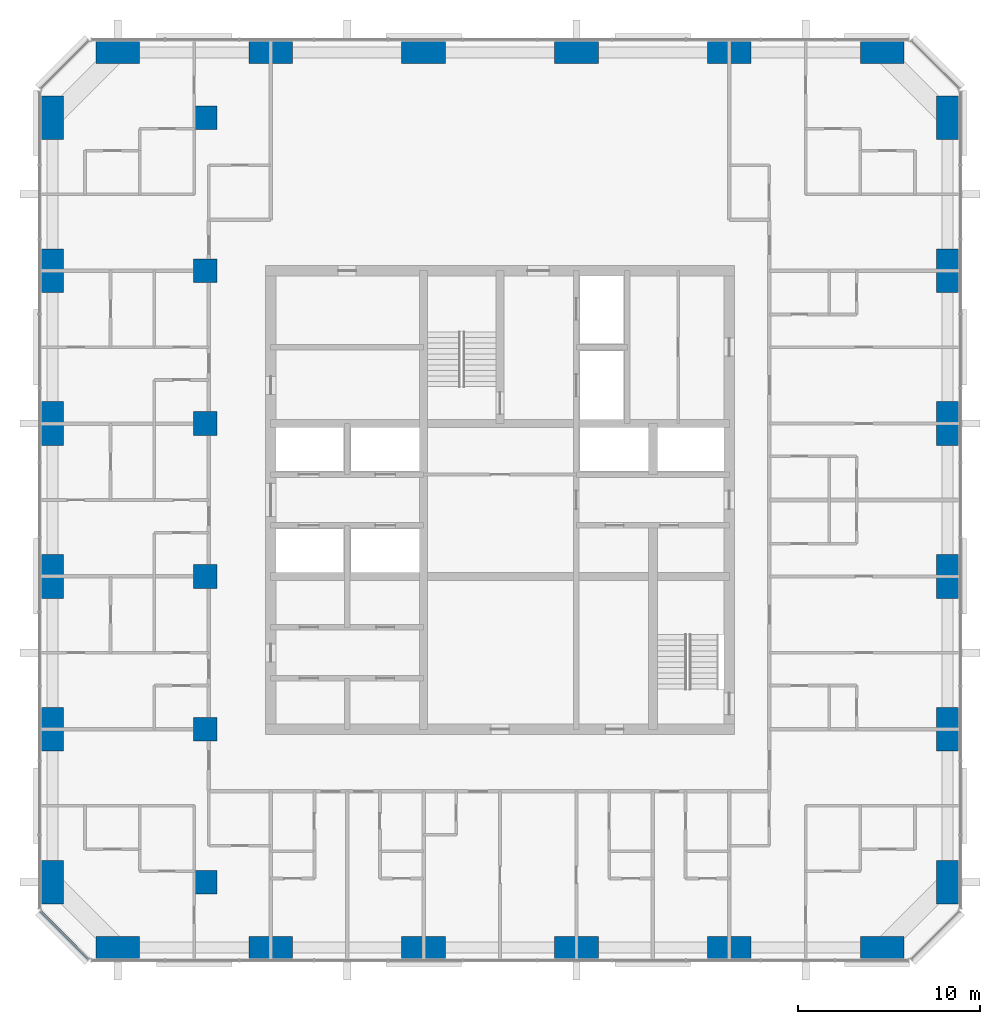
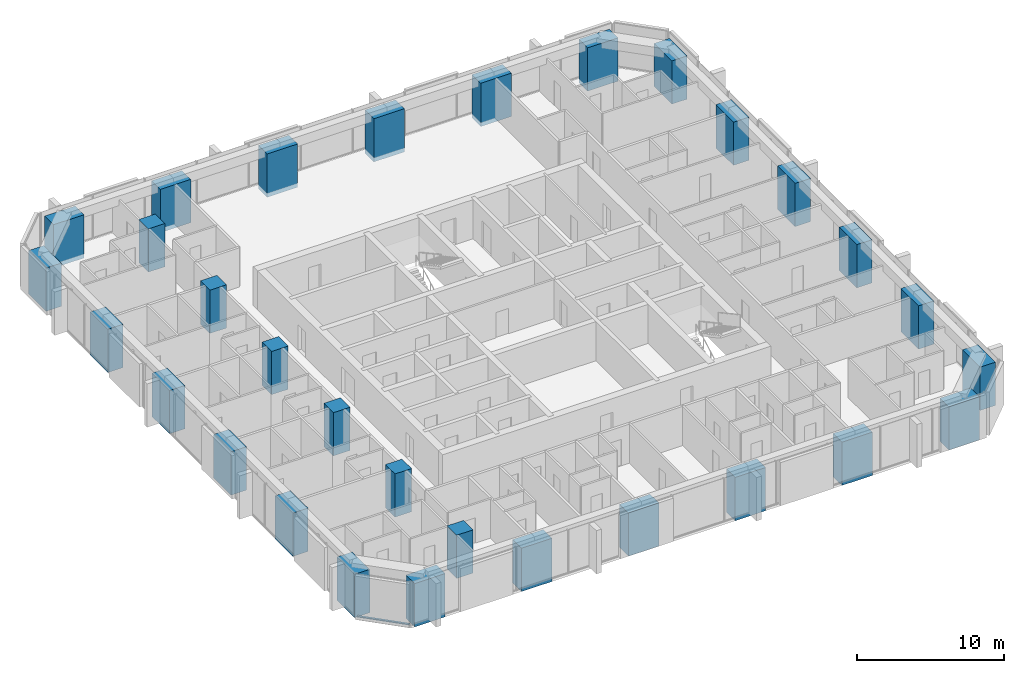
# One storey, part 1 of 14: 30 columns, 1 member, 1 element without a shape of its own.
"""IFC4 building model written with IfcOpenShell, lengths in metres."""

from ifc_helpers import new_model, si_unit, direction, frame, origin, origin_2d, place, context, subcontext, project, spatial, rectangle, extrude, material, material_profile, profile_set, type_object, element, aggregate, save


model = new_model("IFC4")

# Units and contexts
model_context = context("Model", 3, precision=1e-05, world=origin(), true_north=direction((0.0, 1.0)))
body_context = subcontext(model_context, "Body", "Model", "MODEL_VIEW")
ifc_project = project(units=[si_unit("LENGTHUNIT", "METRE"), si_unit("AREAUNIT", "SQUARE_METRE"), si_unit("VOLUMEUNIT", "CUBIC_METRE"), si_unit("PLANEANGLEUNIT", "RADIAN"), si_unit("MASSUNIT", "GRAM", prefix="KILO")], contexts=[model_context])

# Site, building, storey
site_placement = place(None, origin())
site = spatial("IfcSite", under=ifc_project, at=site_placement, CompositionType="ELEMENT")
building_placement = place(site_placement, origin())
building = spatial("IfcBuilding", under=site, at=building_placement, Name="Dunama Terrace Hotel", CompositionType="ELEMENT")
storey_placement = place(building_placement, frame((0.0, 0.0, 198.60009765625)))
storey = spatial("IfcBuildingStorey", under=building, at=storey_placement, Name="L51", CompositionType="ELEMENT", Elevation=198.60009765625)

# Columns
ifc_material_1 = material(Name="Concrete C60/75", Category="concrete")
ifc_material_profile_1 = material_profile(ifc_material_1, rectangle(XDim=1.199951171875, YDim=2.39990234375, at=origin_2d()), Name="RC 1200x2400")
ifc_profile_set_1 = profile_set([ifc_material_profile_1], Name="Concrete C60/75")
column_type_1 = type_object("IfcColumnType", Name="Column RC 1200x2400", PredefinedType="COLUMN", material=ifc_profile_set_1)
for number, where, z_axis, x_axis, name in (
    (1, (4.800048828125, 8.39990234375, -0.35009765625), (0.0, 0.0, 1.0), (1.0, 0.0, 0.0), "Column L51 +4.8/+8.4"),
    (2, (4.800048828125, 16.800048828125, -0.35009765625), (0.0, 0.0, 1.0), (1.0, 0.0, 0.0), "Column L51 +4.8/+16.8"),
    (3, (4.800048828125, 25.199951171875, -0.35009765625), (0.0, 0.0, 1.0), (1.0, 0.0, 0.0), "Column L51 +4.8/+25.2"),
    (4, (4.800048828125, 33.60009765625, -0.35009765625), (0.0, 0.0, 1.0), (1.0, 0.0, 0.0), "Column L51 +4.8/+33.6"),
    (5, (4.800048828125, 42.0, -0.35009765625), (0.0, 0.0, 1.0), (1.0, 0.0, 0.0), "Column L51 +4.8/+42.0"),
    (6, (4.800048828125, 50.39990234375, -0.35009765625), (0.0, 0.0, 1.0), (1.0, 0.0, 0.0), "Column L51 +4.8/+50.4"),
    (7, (54.0, 8.39990234375, -0.35009765625), (0.0, 0.0, 1.0), (1.0, 0.0, 0.0), "Column L51 +54.0/+8.4"),
    (8, (54.0, 16.800048828125, -0.35009765625), (0.0, 0.0, 1.0), (1.0, 0.0, 0.0), "Column L51 +54.0/+16.8"),
    (9, (54.0, 25.199951171875, -0.35009765625), (0.0, 0.0, 1.0), (1.0, 0.0, 0.0), "Column L51 +54.0/+25.2"),
    (10, (54.0, 33.60009765625, -0.35009765625), (0.0, 0.0, 1.0), (1.0, 0.0, 0.0), "Column L51 +54.0/+33.6"),
    (11, (54.0, 42.0, -0.35009765625), (0.0, 0.0, 1.0), (1.0, 0.0, 0.0), "Column L51 +54.0/+42.0"),
    (12, (54.0, 50.39990234375, -0.35009765625), (0.0, 0.0, 1.0), (1.0, 0.0, 0.0), "Column L51 +54.0/+50.4"),
):
    element("IfcColumn", number, at=place(storey_placement, frame(where, z_axis=z_axis, x_axis=x_axis)), inside=storey, type_object=column_type_1, Name=name, PredefinedType="COLUMN", context=body_context, shape_type="SweptSolid", body=[
        extrude(rectangle(XDim=1.199951171875, YDim=2.39990234375, at=origin_2d()), origin(), (0.0, 0.0, 1.0), 3.60009765625),
    ])
ifc_material_2 = material(Name="Concrete C60/75", Category="concrete")
ifc_material_profile_2 = material_profile(ifc_material_2, rectangle(XDim=1.300048828125, YDim=1.300048828125, at=origin_2d()), Name="RC 1300x1300")
ifc_profile_set_2 = profile_set([ifc_material_profile_2], Name="Concrete C60/75")
column_type_2 = type_object("IfcColumnType", Name="Column RC 1300x1300", PredefinedType="COLUMN", material=ifc_profile_set_2)
for number, where, z_axis, x_axis, name in (
    (13, (13.199951171875, 8.39990234375, -0.35009765625), (0.0, 0.0, 1.0), (1.0, 0.0, 0.0), "Column L51 +13.2/+8.4"),
    (14, (13.199951171875, 16.800048828125, -0.35009765625), (0.0, 0.0, 1.0), (1.0, 0.0, 0.0), "Column L51 +13.2/+16.8"),
    (15, (13.199951171875, 25.199951171875, -0.35009765625), (0.0, 0.0, 1.0), (1.0, 0.0, 0.0), "Column L51 +13.2/+25.2"),
    (16, (13.199951171875, 33.60009765625, -0.35009765625), (0.0, 0.0, 1.0), (1.0, 0.0, 0.0), "Column L51 +13.2/+33.6"),
    (17, (13.199951171875, 42.0, -0.35009765625), (0.0, 0.0, 1.0), (1.0, 0.0, 0.0), "Column L51 +13.2/+42.0"),
    (18, (13.199951171875, 50.39990234375, -0.35009765625), (0.0, 0.0, 1.0), (1.0, 0.0, 0.0), "Column L51 +13.2/+50.4"),
):
    element("IfcColumn", number, at=place(storey_placement, frame(where, z_axis=z_axis, x_axis=x_axis)), inside=storey, type_object=column_type_2, Name=name, PredefinedType="COLUMN", context=body_context, shape_type="SweptSolid", body=[
        extrude(rectangle(XDim=1.300048828125, YDim=1.300048828125, at=origin_2d()), origin(), (0.0, 0.0, 1.0), 3.60009765625),
    ])
ifc_material_3 = material(Name="Concrete C60/75", Category="concrete")
ifc_material_profile_3 = material_profile(ifc_material_3, rectangle(XDim=2.39990234375, YDim=1.199951171875, at=origin_2d()), Name="RC 2400x1200")
ifc_profile_set_3 = profile_set([ifc_material_profile_3], Name="Concrete C60/75")
column_type_3 = type_object("IfcColumnType", Name="Column RC 2400x1200", PredefinedType="COLUMN", material=ifc_profile_set_3)
for number, where, z_axis, x_axis, name in (
    (19, (8.39990234375, 4.800048828125, -0.35009765625), (0.0, 0.0, 1.0), (1.0, 0.0, 0.0), "Column L51 +8.4/+4.8"),
    (20, (8.39990234375, 54.0, -0.35009765625), (0.0, 0.0, 1.0), (1.0, 0.0, 0.0), "Column L51 +8.4/+54.0"),
    (21, (16.800048828125, 4.800048828125, -0.35009765625), (0.0, 0.0, 1.0), (1.0, 0.0, 0.0), "Column L51 +16.8/+4.8"),
    (22, (16.800048828125, 54.0, -0.35009765625), (0.0, 0.0, 1.0), (1.0, 0.0, 0.0), "Column L51 +16.8/+54.0"),
    (23, (25.199951171875, 4.800048828125, -0.35009765625), (0.0, 0.0, 1.0), (1.0, 0.0, 0.0), "Column L51 +25.2/+4.8"),
    (24, (25.199951171875, 54.0, -0.35009765625), (0.0, 0.0, 1.0), (1.0, 0.0, 0.0), "Column L51 +25.2/+54.0"),
    (25, (33.60009765625, 4.800048828125, -0.35009765625), (0.0, 0.0, 1.0), (1.0, 0.0, 0.0), "Column L51 +33.6/+4.8"),
    (26, (33.60009765625, 54.0, -0.35009765625), (0.0, 0.0, 1.0), (1.0, 0.0, 0.0), "Column L51 +33.6/+54.0"),
    (27, (42.0, 4.800048828125, -0.35009765625), (0.0, 0.0, 1.0), (1.0, 0.0, 0.0), "Column L51 +42.0/+4.8"),
    (28, (42.0, 54.0, -0.35009765625), (0.0, 0.0, 1.0), (1.0, 0.0, 0.0), "Column L51 +42.0/+54.0"),
    (29, (50.39990234375, 4.800048828125, -0.35009765625), (0.0, 0.0, 1.0), (1.0, 0.0, 0.0), "Column L51 +50.4/+4.8"),
    (30, (50.39990234375, 54.0, -0.35009765625), (0.0, 0.0, 1.0), (1.0, 0.0, 0.0), "Column L51 +50.4/+54.0"),
):
    element("IfcColumn", number, at=place(storey_placement, frame(where, z_axis=z_axis, x_axis=x_axis)), inside=storey, type_object=column_type_3, Name=name, PredefinedType="COLUMN", context=body_context, shape_type="SweptSolid", body=[
        extrude(rectangle(XDim=2.39990234375, YDim=1.199951171875, at=origin_2d()), origin(), (0.0, 0.0, 1.0), 3.60009765625),
    ])

# Curtain wall, member
ifc_material_4 = material(Name="Aluminium curtain wall system", Category="aluminium")
curtain_wall_type = type_object("IfcCurtainWallType", Name="Unitised fritted glass wall CW-C", PredefinedType="NOTDEFINED", material=ifc_material_4)
curtain_wall_placement = place(storey_placement, origin())
curtain_wall = element("IfcCurtainWall", 31, at=curtain_wall_placement, inside=storey, type_object=curtain_wall_type, Name="Unitised fritted glass wall CW-C L51", PredefinedType="NOTDEFINED")
ifc_material_5 = material(Name="Aluminium transom", Category="aluminium")
ifc_material_profile_4 = material_profile(ifc_material_5, rectangle(XDim=0.159912109375, YDim=0.080078125, at=origin_2d()), Name="CWC TRANSOM 160X80")
ifc_profile_set_4 = profile_set([ifc_material_profile_4], Name="Aluminium transom")
member_type = type_object("IfcMemberType", Name="CWC transom 160x80", PredefinedType="USERDEFINED", material=ifc_profile_set_4)
member_placement = place(storey_placement, frame((4.178955078125, 6.780029296875, 0.039794921875), z_axis=(0.707106781187, -0.707106781187, 0.0), x_axis=(0.707106781187, 0.707106781187, 0.0)))
member = element("IfcMember", 32, at=member_placement, type_object=member_type, Name="CWC transom", ObjectType="TRANSOM", PredefinedType="USERDEFINED", context=body_context, shape_type="SweptSolid", body=[
    extrude(rectangle(XDim=0.159912109375, YDim=0.080078125, at=origin_2d()), origin(), (0.0, 0.0, 1.0), 3.678466796875),
])
aggregate(curtain_wall, [member])

save(model, "model.ifc")
